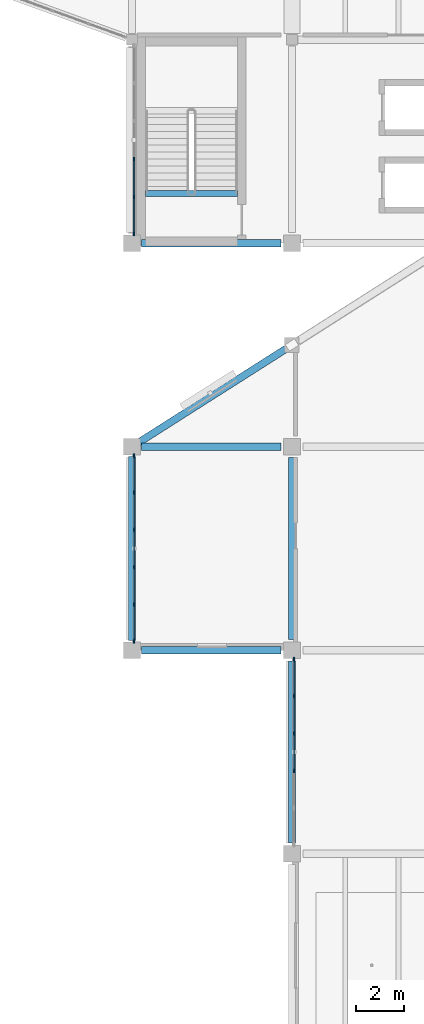
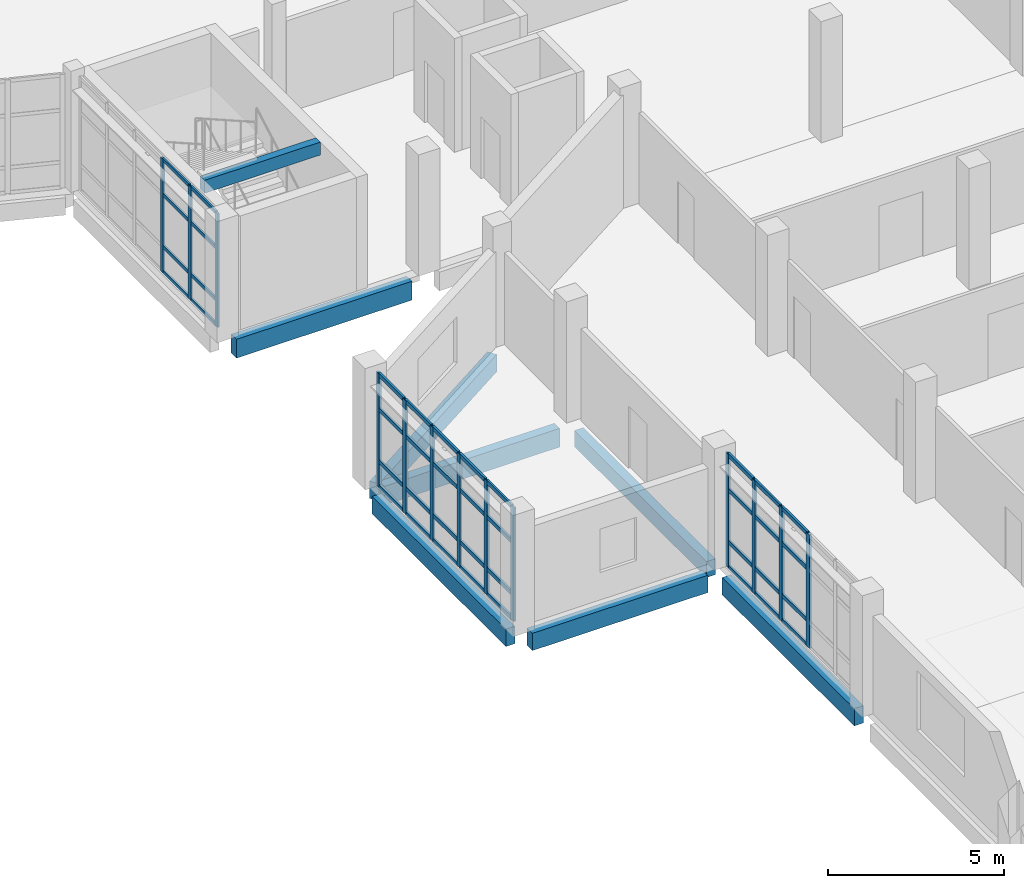
# One storey, part 21 of 74: 53 members, 8 beams, 3 elements without a shape of their own.
"""IFC4 building model written with IfcOpenShell, lengths in metres."""

from ifc_helpers import new_model, si_unit, direction, frame, origin, origin_2d, place, context, subcontext, project, spatial, rectangle, extrude, material, material_profile, profile_set, type_object, element, aggregate, save


model = new_model("IFC4")

# Units and contexts
model_context = context("Model", 3, precision=1e-05, world=origin(), true_north=direction((0.0, 1.0)))
body_context = subcontext(model_context, "Body", "Model", "MODEL_VIEW")
ifc_project = project(units=[si_unit("LENGTHUNIT", "METRE"), si_unit("AREAUNIT", "SQUARE_METRE"), si_unit("VOLUMEUNIT", "CUBIC_METRE"), si_unit("PLANEANGLEUNIT", "RADIAN"), si_unit("MASSUNIT", "GRAM", prefix="KILO")], contexts=[model_context])

# Site, building, storey
site_placement = place(None, origin())
site = spatial("IfcSite", under=ifc_project, at=site_placement, CompositionType="ELEMENT")
building_placement = place(site_placement, origin())
building = spatial("IfcBuilding", under=site, at=building_placement, Name="Qaldarim Faculty of Natural and Applied Sciences", CompositionType="ELEMENT")
storey_placement = place(building_placement, frame((0.0, 0.0, 14.39990234375)))
storey = spatial("IfcBuildingStorey", under=building, at=storey_placement, Name="L03", CompositionType="ELEMENT", Elevation=14.39990234375)

# Beams
ifc_material_1 = material(Name="Concrete C40/50", Category="concrete")
ifc_material_profile_1 = material_profile(ifc_material_1, rectangle(XDim=0.300048828125, YDim=0.550048828125, at=origin_2d()), Name="RC-B300x550")
ifc_profile_set_1 = profile_set([ifc_material_profile_1], Name="Concrete C40/50")
beam_type_1 = type_object("IfcBeamType", Name="FloorBeam-RC300x550", PredefinedType="BEAM", material=ifc_profile_set_1)
beam_1_placement = place(storey_placement, frame((158.39990234375, 42.449951171875, -0.534912109375), z_axis=(0.0, 1.0, 0.0), x_axis=(-1.0, 0.0, 0.0)))
element("IfcBeam", 1, at=beam_1_placement, inside=storey, type_object=beam_type_1, Name="Beam RC-B300x550 L02 X25/Y06-Y07", PredefinedType="BEAM", context=body_context, shape_type="SweptSolid", body=[
    extrude(rectangle(XDim=0.300048828125, YDim=0.550048828125, at=origin_2d()), origin(), (0.0, 0.0, 1.0), 7.5),
])
ifc_material_profile_2 = material_profile(ifc_material_1, rectangle(XDim=0.25, YDim=0.449951171875, at=origin_2d()), Name="RC-LN250x450")
ifc_profile_set_2 = profile_set([ifc_material_profile_2], Name="Concrete C40/50")
beam_type_2 = type_object("IfcBeamType", Name="LandingSupportBeam-RC250x450", PredefinedType="BEAM", material=ifc_profile_set_2)
beam_2_placement = place(storey_placement, frame((152.35009765625, 60.85009765625, 3.715087890625), z_axis=(1.0, 0.0, 0.0), x_axis=(0.0, 1.0, 0.0)))
element("IfcBeam", 2, at=beam_2_placement, inside=storey, type_object=beam_type_2, Name="Stair arrival support beam ST-C1 L03", PredefinedType="BEAM", context=body_context, shape_type="SweptSolid", body=[
    extrude(rectangle(XDim=0.25, YDim=0.449951171875, at=origin_2d()), origin(), (0.0, 0.0, 1.0), 3.7998046875),
])

# Curtain wall, members
ifc_material_2 = material(Name="Anodised aluminium AW-6063", Category="aluminium")
curtain_wall_type_1 = type_object("IfcCurtainWallType", Name="CurtainWallSystem-M1600", PredefinedType="USERDEFINED", material=ifc_material_2)
curtain_wall_1_placement = place(storey_placement, origin())
curtain_wall_1 = element("IfcCurtainWall", 3, at=curtain_wall_1_placement, inside=storey, type_object=curtain_wall_type_1, Name="Curtain wall CW-L03-W-X24Y08", ObjectType="UNITISED FACADE", PredefinedType="USERDEFINED")
ifc_material_profile_3 = material_profile(ifc_material_2, rectangle(XDim=0.06005859375, YDim=0.14990234375, at=origin_2d()), Name="ALU-M60x150")
ifc_profile_set_3 = profile_set([ifc_material_profile_3], Name="Anodised aluminium AW-6063")
member_type_1 = type_object("IfcMemberType", Name="Mullion-ALU60x150", PredefinedType="MULLION", material=ifc_profile_set_3)
member_1_placement = place(storey_placement, frame((151.8798828125, 62.279052734375, 0.0), z_axis=(0.0, 0.0, 1.0), x_axis=(1.0, 0.0, 0.0)))
member_1 = element("IfcMember", 4, at=member_1_placement, type_object=member_type_1, Name="Mullion 4 of CW-L03-W-X24Y08", PredefinedType="MULLION", context=body_context, shape_type="SweptSolid", body=[
    extrude(rectangle(XDim=0.06005859375, YDim=0.14990234375, at=origin_2d()), origin(), (0.0, 0.0, 1.0), 3.940185546875),
])
member_2_placement = place(storey_placement, frame((151.8798828125, 60.7119140625, 0.0), z_axis=(0.0, 0.0, 1.0), x_axis=(1.0, 0.0, 0.0)))
member_2 = element("IfcMember", 5, at=member_2_placement, type_object=member_type_1, Name="Mullion 5 of CW-L03-W-X24Y08", PredefinedType="MULLION", context=body_context, shape_type="SweptSolid", body=[
    extrude(rectangle(XDim=0.06005859375, YDim=0.14990234375, at=origin_2d()), origin(), (0.0, 0.0, 1.0), 3.940185546875),
])
member_3_placement = place(storey_placement, frame((151.8798828125, 59.175048828125, 0.0), z_axis=(0.0, 0.0, 1.0), x_axis=(1.0, 0.0, 0.0)))
member_3 = element("IfcMember", 6, at=member_3_placement, type_object=member_type_1, Name="Mullion 6 of CW-L03-W-X24Y08", PredefinedType="MULLION", context=body_context, shape_type="SweptSolid", body=[
    extrude(rectangle(XDim=0.06005859375, YDim=0.14990234375, at=origin_2d()), origin(), (0.0, 0.0, 1.0), 3.940185546875),
])

curtain_wall_type_2 = type_object("IfcCurtainWallType", Name="CurtainWallSystem-M1700", PredefinedType="USERDEFINED", material=ifc_material_2)
curtain_wall_2_placement = place(storey_placement, origin())
curtain_wall_2 = element("IfcCurtainWall", 7, at=curtain_wall_2_placement, inside=storey, type_object=curtain_wall_type_2, Name="Curtain wall CW-L03-W-X24Y06", ObjectType="UNITISED FACADE", PredefinedType="USERDEFINED")
ifc_material_profile_4 = material_profile(ifc_material_2, rectangle(XDim=0.070068359375, YDim=0.179931640625, at=origin_2d()), Name="ALU-M70x180")
ifc_profile_set_4 = profile_set([ifc_material_profile_4], Name="Anodised aluminium AW-6063")
member_type_2 = type_object("IfcMemberType", Name="Mullion-ALU70x180", PredefinedType="MULLION", material=ifc_profile_set_4)
member_4_placement = place(storey_placement, frame((151.8798828125, 50.02001953125, 0.0), z_axis=(0.0, 0.0, 1.0), x_axis=(1.0, 0.0, 0.0)))
member_4 = element("IfcMember", 8, at=member_4_placement, type_object=member_type_2, Name="Mullion 1 of CW-L03-W-X24Y06", PredefinedType="MULLION", context=body_context, shape_type="SweptSolid", body=[
    extrude(rectangle(XDim=0.070068359375, YDim=0.179931640625, at=origin_2d()), origin(), (0.0, 0.0, 1.0), 3.940185546875),
])
member_5_placement = place(storey_placement, frame((151.8798828125, 48.512939453125, 0.0), z_axis=(0.0, 0.0, 1.0), x_axis=(1.0, 0.0, 0.0)))
member_5 = element("IfcMember", 9, at=member_5_placement, type_object=member_type_2, Name="Mullion 2 of CW-L03-W-X24Y06", PredefinedType="MULLION", context=body_context, shape_type="SweptSolid", body=[
    extrude(rectangle(XDim=0.070068359375, YDim=0.179931640625, at=origin_2d()), origin(), (0.0, 0.0, 1.0), 3.940185546875),
])
member_6_placement = place(storey_placement, frame((151.8798828125, 46.970947265625, 0.0), z_axis=(0.0, 0.0, 1.0), x_axis=(1.0, 0.0, 0.0)))
member_6 = element("IfcMember", 10, at=member_6_placement, type_object=member_type_2, Name="Mullion 3 of CW-L03-W-X24Y06", PredefinedType="MULLION", context=body_context, shape_type="SweptSolid", body=[
    extrude(rectangle(XDim=0.070068359375, YDim=0.179931640625, at=origin_2d()), origin(), (0.0, 0.0, 1.0), 3.940185546875),
])
member_7_placement = place(storey_placement, frame((151.8798828125, 45.428955078125, 0.0), z_axis=(0.0, 0.0, 1.0), x_axis=(1.0, 0.0, 0.0)))
member_7 = element("IfcMember", 11, at=member_7_placement, type_object=member_type_2, Name="Mullion 4 of CW-L03-W-X24Y06", PredefinedType="MULLION", context=body_context, shape_type="SweptSolid", body=[
    extrude(rectangle(XDim=0.070068359375, YDim=0.179931640625, at=origin_2d()), origin(), (0.0, 0.0, 1.0), 3.940185546875),
])
member_8_placement = place(storey_placement, frame((151.8798828125, 43.886962890625, 0.0), z_axis=(0.0, 0.0, 1.0), x_axis=(1.0, 0.0, 0.0)))
member_8 = element("IfcMember", 12, at=member_8_placement, type_object=member_type_2, Name="Mullion 5 of CW-L03-W-X24Y06", PredefinedType="MULLION", context=body_context, shape_type="SweptSolid", body=[
    extrude(rectangle(XDim=0.070068359375, YDim=0.179931640625, at=origin_2d()), origin(), (0.0, 0.0, 1.0), 3.940185546875),
])
member_9_placement = place(storey_placement, frame((151.8798828125, 42.3798828125, 0.0), z_axis=(0.0, 0.0, 1.0), x_axis=(1.0, 0.0, 0.0)))
member_9 = element("IfcMember", 13, at=member_9_placement, type_object=member_type_2, Name="Mullion 6 of CW-L03-W-X24Y06", PredefinedType="MULLION", context=body_context, shape_type="SweptSolid", body=[
    extrude(rectangle(XDim=0.070068359375, YDim=0.179931640625, at=origin_2d()), origin(), (0.0, 0.0, 1.0), 3.940185546875),
])

curtain_wall_3_placement = place(storey_placement, origin())
curtain_wall_3 = element("IfcCurtainWall", 14, at=curtain_wall_3_placement, inside=storey, type_object=curtain_wall_type_2, Name="Curtain wall CW-L03-W-X25Y05", ObjectType="UNITISED FACADE", PredefinedType="USERDEFINED")
member_10_placement = place(storey_placement, frame((158.47998046875, 41.6201171875, 0.0), z_axis=(0.0, 0.0, 1.0), x_axis=(1.0, 0.0, 0.0)))
member_10 = element("IfcMember", 15, at=member_10_placement, type_object=member_type_2, Name="Mullion 1 of CW-L03-W-X25Y05", PredefinedType="MULLION", context=body_context, shape_type="SweptSolid", body=[
    extrude(rectangle(XDim=0.070068359375, YDim=0.179931640625, at=origin_2d()), origin(), (0.0, 0.0, 1.0), 3.940185546875),
])
member_11_placement = place(storey_placement, frame((158.47998046875, 40.113037109375, 0.0), z_axis=(0.0, 0.0, 1.0), x_axis=(1.0, 0.0, 0.0)))
member_11 = element("IfcMember", 16, at=member_11_placement, type_object=member_type_2, Name="Mullion 2 of CW-L03-W-X25Y05", PredefinedType="MULLION", context=body_context, shape_type="SweptSolid", body=[
    extrude(rectangle(XDim=0.070068359375, YDim=0.179931640625, at=origin_2d()), origin(), (0.0, 0.0, 1.0), 3.940185546875),
])
member_12_placement = place(storey_placement, frame((158.47998046875, 38.571044921875, 0.0), z_axis=(0.0, 0.0, 1.0), x_axis=(1.0, 0.0, 0.0)))
member_12 = element("IfcMember", 17, at=member_12_placement, type_object=member_type_2, Name="Mullion 3 of CW-L03-W-X25Y05", PredefinedType="MULLION", context=body_context, shape_type="SweptSolid", body=[
    extrude(rectangle(XDim=0.070068359375, YDim=0.179931640625, at=origin_2d()), origin(), (0.0, 0.0, 1.0), 3.940185546875),
])
member_13_placement = place(storey_placement, frame((158.47998046875, 37.029052734375, 0.0), z_axis=(0.0, 0.0, 1.0), x_axis=(1.0, 0.0, 0.0)))
member_13 = element("IfcMember", 18, at=member_13_placement, type_object=member_type_2, Name="Mullion 4 of CW-L03-W-X25Y05", PredefinedType="MULLION", context=body_context, shape_type="SweptSolid", body=[
    extrude(rectangle(XDim=0.070068359375, YDim=0.179931640625, at=origin_2d()), origin(), (0.0, 0.0, 1.0), 3.940185546875),
])

# Beams
ifc_material_profile_5 = material_profile(ifc_material_1, rectangle(XDim=0.300048828125, YDim=0.64990234375, at=origin_2d()), Name="RC-B300x650")
ifc_profile_set_5 = profile_set([ifc_material_profile_5], Name="Concrete C40/50")
beam_type_3 = type_object("IfcBeamType", Name="PrimaryBeam-RC300x650", PredefinedType="BEAM", material=ifc_profile_set_5)
for number, where, z_axis, x_axis, name in (
    (19, (152.199951171875, 50.39990234375, -0.5849609375), (1.0, 0.0, 0.0), (0.0, 1.0, 0.0), "Beam RC-B300x650 L02 X24-X25/Y07"),
    (20, (152.199951171875, 58.800048828125, -0.5849609375), (1.0, 0.0, 0.0), (0.0, 1.0, 0.0), "Beam RC-B300x650 L02 X24-X25/Y08"),
):
    element("IfcBeam", number, at=place(storey_placement, frame(where, z_axis=z_axis, x_axis=x_axis)), inside=storey, type_object=beam_type_3, Name=name, PredefinedType="BEAM", context=body_context, shape_type="SweptSolid", body=[
        extrude(rectangle(XDim=0.300048828125, YDim=0.64990234375, at=origin_2d()), origin(), (0.0, 0.0, 1.0), 5.75),
    ])
ifc_material_3 = material(Name="Precast concrete C40/50", Category="concrete")
ifc_material_profile_6 = material_profile(ifc_material_3, rectangle(XDim=0.300048828125, YDim=0.60009765625, at=origin_2d()), Name="RC-SP300x600")
ifc_profile_set_6 = profile_set([ifc_material_profile_6], Name="Precast concrete C40/50")
beam_type_4 = type_object("IfcBeamType", Name="SpandrelBeam-RC300x600", PredefinedType="SPANDREL", material=ifc_profile_set_6)
beam_3_placement = place(storey_placement, frame((152.199951171875, 42.0, -0.559814453125), z_axis=(1.0, 0.0, 0.0), x_axis=(0.0, 1.0, 0.0)))
element("IfcBeam", 21, at=beam_3_placement, inside=storey, type_object=beam_type_4, Name="Beam RC-SP300x600 L02 X24-X25/Y06", PredefinedType="SPANDREL", context=body_context, shape_type="SweptSolid", body=[
    extrude(rectangle(XDim=0.300048828125, YDim=0.60009765625, at=origin_2d()), origin(), (0.0, 0.0, 1.0), 5.75),
])
beam_4_placement = place(storey_placement, frame((151.800048828125, 42.39990234375, -0.559814453125), z_axis=(0.0, 1.0, 0.0), x_axis=(-1.0, 0.0, 0.0)))
element("IfcBeam", 22, at=beam_4_placement, inside=storey, type_object=beam_type_4, Name="Beam RC-SP300x600 L02 X24/Y06-Y07", PredefinedType="SPANDREL", context=body_context, shape_type="SweptSolid", body=[
    extrude(rectangle(XDim=0.300048828125, YDim=0.60009765625, at=origin_2d()), origin(), (0.0, 0.0, 1.0), 7.60009765625),
])
beam_5_placement = place(storey_placement, frame((158.39990234375, 34.050048828125, -0.559814453125), z_axis=(0.0, 1.0, 0.0), x_axis=(-1.0, 0.0, 0.0)))
element("IfcBeam", 23, at=beam_5_placement, inside=storey, type_object=beam_type_4, Name="Beam RC-SP300x600 L02 X25/Y05-Y06", PredefinedType="SPANDREL", context=body_context, shape_type="SweptSolid", body=[
    extrude(rectangle(XDim=0.300048828125, YDim=0.60009765625, at=origin_2d()), origin(), (0.0, 0.0, 1.0), 7.5),
])
beam_6_placement = place(storey_placement, frame((152.050048828125, 50.56005859375, -0.559814453125), z_axis=(0.843776886751, 0.536694107835, 0.0), x_axis=(-0.536694107835, 0.843776886751, 0.0)))
element("IfcBeam", 24, at=beam_6_placement, inside=storey, type_object=beam_type_4, Name="Oblique NW chamfer spandrel L02 1", PredefinedType="SPANDREL", context=body_context, shape_type="SweptSolid", body=[
    extrude(rectangle(XDim=0.300048828125, YDim=0.60009765625, at=origin_2d()), origin(), (0.0, 0.0, 1.0), 7.229248046875),
])

# Member
ifc_material_profile_7 = material_profile(ifc_material_2, rectangle(XDim=0.06005859375, YDim=0.1201171875, at=origin_2d()), Name="ALU-T60x120")
ifc_profile_set_7 = profile_set([ifc_material_profile_7], Name="Anodised aluminium AW-6063")
member_type_3 = type_object("IfcMemberType", Name="Transom-ALU60x120", PredefinedType="USERDEFINED", material=ifc_profile_set_7)
member_14_placement = place(storey_placement, frame((151.8798828125, 62.2490234375, 0.030029296875), z_axis=(0.0, -1.0, 0.0), x_axis=(1.0, 0.0, 0.0)))
member_14 = element("IfcMember", 25, at=member_14_placement, type_object=member_type_3, Name="Transom 4-1 of CW-L03-W-X24Y08", ObjectType="TRANSOM", PredefinedType="USERDEFINED", context=body_context, shape_type="SweptSolid", body=[
    extrude(rectangle(XDim=0.06005859375, YDim=0.1201171875, at=origin_2d()), origin(), (0.0, 0.0, 1.0), 1.507080078125),
])

member_15_placement = place(storey_placement, frame((151.8798828125, 62.2490234375, 0.900146484375), z_axis=(0.0, -1.0, 0.0), x_axis=(1.0, 0.0, 0.0)))
member_15 = element("IfcMember", 26, at=member_15_placement, type_object=member_type_3, Name="Transom 4-2 of CW-L03-W-X24Y08", ObjectType="TRANSOM", PredefinedType="USERDEFINED", context=body_context, shape_type="SweptSolid", body=[
    extrude(rectangle(XDim=0.06005859375, YDim=0.1201171875, at=origin_2d()), origin(), (0.0, 0.0, 1.0), 1.507080078125),
])

member_16_placement = place(storey_placement, frame((151.8798828125, 62.2490234375, 2.7001953125), z_axis=(0.0, -1.0, 0.0), x_axis=(1.0, 0.0, 0.0)))
member_16 = element("IfcMember", 27, at=member_16_placement, type_object=member_type_3, Name="Transom 4-3 of CW-L03-W-X24Y08", ObjectType="TRANSOM", PredefinedType="USERDEFINED", context=body_context, shape_type="SweptSolid", body=[
    extrude(rectangle(XDim=0.06005859375, YDim=0.1201171875, at=origin_2d()), origin(), (0.0, 0.0, 1.0), 1.507080078125),
])

member_17_placement = place(storey_placement, frame((151.8798828125, 62.2490234375, 3.91015625), z_axis=(0.0, -1.0, 0.0), x_axis=(1.0, 0.0, 0.0)))
member_17 = element("IfcMember", 28, at=member_17_placement, type_object=member_type_3, Name="Transom 4-4 of CW-L03-W-X24Y08", ObjectType="TRANSOM", PredefinedType="USERDEFINED", context=body_context, shape_type="SweptSolid", body=[
    extrude(rectangle(XDim=0.06005859375, YDim=0.1201171875, at=origin_2d()), origin(), (0.0, 0.0, 1.0), 1.507080078125),
])

member_18_placement = place(storey_placement, frame((151.8798828125, 60.681884765625, 0.030029296875), z_axis=(0.0, -1.0, 0.0), x_axis=(1.0, 0.0, 0.0)))
member_18 = element("IfcMember", 29, at=member_18_placement, type_object=member_type_3, Name="Transom 5-1 of CW-L03-W-X24Y08", ObjectType="TRANSOM", PredefinedType="USERDEFINED", context=body_context, shape_type="SweptSolid", body=[
    extrude(rectangle(XDim=0.06005859375, YDim=0.1201171875, at=origin_2d()), origin(), (0.0, 0.0, 1.0), 1.476806640625),
])

member_19_placement = place(storey_placement, frame((151.8798828125, 60.681884765625, 0.900146484375), z_axis=(0.0, -1.0, 0.0), x_axis=(1.0, 0.0, 0.0)))
member_19 = element("IfcMember", 30, at=member_19_placement, type_object=member_type_3, Name="Transom 5-2 of CW-L03-W-X24Y08", ObjectType="TRANSOM", PredefinedType="USERDEFINED", context=body_context, shape_type="SweptSolid", body=[
    extrude(rectangle(XDim=0.06005859375, YDim=0.1201171875, at=origin_2d()), origin(), (0.0, 0.0, 1.0), 1.476806640625),
])

member_20_placement = place(storey_placement, frame((151.8798828125, 60.681884765625, 2.7001953125), z_axis=(0.0, -1.0, 0.0), x_axis=(1.0, 0.0, 0.0)))
member_20 = element("IfcMember", 31, at=member_20_placement, type_object=member_type_3, Name="Transom 5-3 of CW-L03-W-X24Y08", ObjectType="TRANSOM", PredefinedType="USERDEFINED", context=body_context, shape_type="SweptSolid", body=[
    extrude(rectangle(XDim=0.06005859375, YDim=0.1201171875, at=origin_2d()), origin(), (0.0, 0.0, 1.0), 1.476806640625),
])

member_21_placement = place(storey_placement, frame((151.8798828125, 60.681884765625, 3.91015625), z_axis=(0.0, -1.0, 0.0), x_axis=(1.0, 0.0, 0.0)))
member_21 = element("IfcMember", 32, at=member_21_placement, type_object=member_type_3, Name="Transom 5-4 of CW-L03-W-X24Y08", ObjectType="TRANSOM", PredefinedType="USERDEFINED", context=body_context, shape_type="SweptSolid", body=[
    extrude(rectangle(XDim=0.06005859375, YDim=0.1201171875, at=origin_2d()), origin(), (0.0, 0.0, 1.0), 1.476806640625),
])

aggregate(curtain_wall_1, [member_1, member_2, member_3, member_14, member_15, member_16, member_17, member_18, member_19, member_20, member_21])

ifc_material_profile_8 = material_profile(ifc_material_2, rectangle(XDim=0.070068359375, YDim=0.139892578125, at=origin_2d()), Name="ALU-T70x140")
ifc_profile_set_8 = profile_set([ifc_material_profile_8], Name="Anodised aluminium AW-6063")
member_type_4 = type_object("IfcMemberType", Name="Transom-ALU70x140", PredefinedType="USERDEFINED", material=ifc_profile_set_8)
member_22_placement = place(storey_placement, frame((151.8798828125, 49.985107421875, 0.03515625), z_axis=(0.0, -1.0, 0.0), x_axis=(1.0, 0.0, 0.0)))
member_22 = element("IfcMember", 33, at=member_22_placement, type_object=member_type_4, Name="Transom 1-1 of CW-L03-W-X24Y06", ObjectType="TRANSOM", PredefinedType="USERDEFINED", context=body_context, shape_type="SweptSolid", body=[
    extrude(rectangle(XDim=0.070068359375, YDim=0.139892578125, at=origin_2d()), origin(), (0.0, 0.0, 1.0), 1.43701171875),
])

member_23_placement = place(storey_placement, frame((151.8798828125, 49.985107421875, 0.900146484375), z_axis=(0.0, -1.0, 0.0), x_axis=(1.0, 0.0, 0.0)))
member_23 = element("IfcMember", 34, at=member_23_placement, type_object=member_type_4, Name="Transom 1-2 of CW-L03-W-X24Y06", ObjectType="TRANSOM", PredefinedType="USERDEFINED", context=body_context, shape_type="SweptSolid", body=[
    extrude(rectangle(XDim=0.070068359375, YDim=0.139892578125, at=origin_2d()), origin(), (0.0, 0.0, 1.0), 1.43701171875),
])

member_24_placement = place(storey_placement, frame((151.8798828125, 49.985107421875, 2.7001953125), z_axis=(0.0, -1.0, 0.0), x_axis=(1.0, 0.0, 0.0)))
member_24 = element("IfcMember", 35, at=member_24_placement, type_object=member_type_4, Name="Transom 1-3 of CW-L03-W-X24Y06", ObjectType="TRANSOM", PredefinedType="USERDEFINED", context=body_context, shape_type="SweptSolid", body=[
    extrude(rectangle(XDim=0.070068359375, YDim=0.139892578125, at=origin_2d()), origin(), (0.0, 0.0, 1.0), 1.43701171875),
])

member_25_placement = place(storey_placement, frame((151.8798828125, 49.985107421875, 3.905029296875), z_axis=(0.0, -1.0, 0.0), x_axis=(1.0, 0.0, 0.0)))
member_25 = element("IfcMember", 36, at=member_25_placement, type_object=member_type_4, Name="Transom 1-4 of CW-L03-W-X24Y06", ObjectType="TRANSOM", PredefinedType="USERDEFINED", context=body_context, shape_type="SweptSolid", body=[
    extrude(rectangle(XDim=0.070068359375, YDim=0.139892578125, at=origin_2d()), origin(), (0.0, 0.0, 1.0), 1.43701171875),
])

member_26_placement = place(storey_placement, frame((151.8798828125, 48.47802734375, 0.03515625), z_axis=(0.0, -1.0, 0.0), x_axis=(1.0, 0.0, 0.0)))
member_26 = element("IfcMember", 37, at=member_26_placement, type_object=member_type_4, Name="Transom 2-1 of CW-L03-W-X24Y06", ObjectType="TRANSOM", PredefinedType="USERDEFINED", context=body_context, shape_type="SweptSolid", body=[
    extrude(rectangle(XDim=0.070068359375, YDim=0.139892578125, at=origin_2d()), origin(), (0.0, 0.0, 1.0), 1.471923828125),
])

member_27_placement = place(storey_placement, frame((151.8798828125, 48.47802734375, 0.900146484375), z_axis=(0.0, -1.0, 0.0), x_axis=(1.0, 0.0, 0.0)))
member_27 = element("IfcMember", 38, at=member_27_placement, type_object=member_type_4, Name="Transom 2-2 of CW-L03-W-X24Y06", ObjectType="TRANSOM", PredefinedType="USERDEFINED", context=body_context, shape_type="SweptSolid", body=[
    extrude(rectangle(XDim=0.070068359375, YDim=0.139892578125, at=origin_2d()), origin(), (0.0, 0.0, 1.0), 1.471923828125),
])

member_28_placement = place(storey_placement, frame((151.8798828125, 48.47802734375, 2.7001953125), z_axis=(0.0, -1.0, 0.0), x_axis=(1.0, 0.0, 0.0)))
member_28 = element("IfcMember", 39, at=member_28_placement, type_object=member_type_4, Name="Transom 2-3 of CW-L03-W-X24Y06", ObjectType="TRANSOM", PredefinedType="USERDEFINED", context=body_context, shape_type="SweptSolid", body=[
    extrude(rectangle(XDim=0.070068359375, YDim=0.139892578125, at=origin_2d()), origin(), (0.0, 0.0, 1.0), 1.471923828125),
])

member_29_placement = place(storey_placement, frame((151.8798828125, 48.47802734375, 3.905029296875), z_axis=(0.0, -1.0, 0.0), x_axis=(1.0, 0.0, 0.0)))
member_29 = element("IfcMember", 40, at=member_29_placement, type_object=member_type_4, Name="Transom 2-4 of CW-L03-W-X24Y06", ObjectType="TRANSOM", PredefinedType="USERDEFINED", context=body_context, shape_type="SweptSolid", body=[
    extrude(rectangle(XDim=0.070068359375, YDim=0.139892578125, at=origin_2d()), origin(), (0.0, 0.0, 1.0), 1.471923828125),
])

member_30_placement = place(storey_placement, frame((151.8798828125, 46.93603515625, 0.03515625), z_axis=(0.0, -1.0, 0.0), x_axis=(1.0, 0.0, 0.0)))
member_30 = element("IfcMember", 41, at=member_30_placement, type_object=member_type_4, Name="Transom 3-1 of CW-L03-W-X24Y06", ObjectType="TRANSOM", PredefinedType="USERDEFINED", context=body_context, shape_type="SweptSolid", body=[
    extrude(rectangle(XDim=0.070068359375, YDim=0.139892578125, at=origin_2d()), origin(), (0.0, 0.0, 1.0), 1.471923828125),
])

member_31_placement = place(storey_placement, frame((151.8798828125, 46.93603515625, 0.900146484375), z_axis=(0.0, -1.0, 0.0), x_axis=(1.0, 0.0, 0.0)))
member_31 = element("IfcMember", 42, at=member_31_placement, type_object=member_type_4, Name="Transom 3-2 of CW-L03-W-X24Y06", ObjectType="TRANSOM", PredefinedType="USERDEFINED", context=body_context, shape_type="SweptSolid", body=[
    extrude(rectangle(XDim=0.070068359375, YDim=0.139892578125, at=origin_2d()), origin(), (0.0, 0.0, 1.0), 1.471923828125),
])

member_32_placement = place(storey_placement, frame((151.8798828125, 46.93603515625, 2.7001953125), z_axis=(0.0, -1.0, 0.0), x_axis=(1.0, 0.0, 0.0)))
member_32 = element("IfcMember", 43, at=member_32_placement, type_object=member_type_4, Name="Transom 3-3 of CW-L03-W-X24Y06", ObjectType="TRANSOM", PredefinedType="USERDEFINED", context=body_context, shape_type="SweptSolid", body=[
    extrude(rectangle(XDim=0.070068359375, YDim=0.139892578125, at=origin_2d()), origin(), (0.0, 0.0, 1.0), 1.471923828125),
])

member_33_placement = place(storey_placement, frame((151.8798828125, 46.93603515625, 3.905029296875), z_axis=(0.0, -1.0, 0.0), x_axis=(1.0, 0.0, 0.0)))
member_33 = element("IfcMember", 44, at=member_33_placement, type_object=member_type_4, Name="Transom 3-4 of CW-L03-W-X24Y06", ObjectType="TRANSOM", PredefinedType="USERDEFINED", context=body_context, shape_type="SweptSolid", body=[
    extrude(rectangle(XDim=0.070068359375, YDim=0.139892578125, at=origin_2d()), origin(), (0.0, 0.0, 1.0), 1.471923828125),
])

member_34_placement = place(storey_placement, frame((151.8798828125, 45.39404296875, 0.03515625), z_axis=(0.0, -1.0, 0.0), x_axis=(1.0, 0.0, 0.0)))
member_34 = element("IfcMember", 45, at=member_34_placement, type_object=member_type_4, Name="Transom 4-1 of CW-L03-W-X24Y06", ObjectType="TRANSOM", PredefinedType="USERDEFINED", context=body_context, shape_type="SweptSolid", body=[
    extrude(rectangle(XDim=0.070068359375, YDim=0.139892578125, at=origin_2d()), origin(), (0.0, 0.0, 1.0), 1.471923828125),
])

member_35_placement = place(storey_placement, frame((151.8798828125, 45.39404296875, 0.900146484375), z_axis=(0.0, -1.0, 0.0), x_axis=(1.0, 0.0, 0.0)))
member_35 = element("IfcMember", 46, at=member_35_placement, type_object=member_type_4, Name="Transom 4-2 of CW-L03-W-X24Y06", ObjectType="TRANSOM", PredefinedType="USERDEFINED", context=body_context, shape_type="SweptSolid", body=[
    extrude(rectangle(XDim=0.070068359375, YDim=0.139892578125, at=origin_2d()), origin(), (0.0, 0.0, 1.0), 1.471923828125),
])

member_36_placement = place(storey_placement, frame((151.8798828125, 45.39404296875, 2.7001953125), z_axis=(0.0, -1.0, 0.0), x_axis=(1.0, 0.0, 0.0)))
member_36 = element("IfcMember", 47, at=member_36_placement, type_object=member_type_4, Name="Transom 4-3 of CW-L03-W-X24Y06", ObjectType="TRANSOM", PredefinedType="USERDEFINED", context=body_context, shape_type="SweptSolid", body=[
    extrude(rectangle(XDim=0.070068359375, YDim=0.139892578125, at=origin_2d()), origin(), (0.0, 0.0, 1.0), 1.471923828125),
])

member_37_placement = place(storey_placement, frame((151.8798828125, 45.39404296875, 3.905029296875), z_axis=(0.0, -1.0, 0.0), x_axis=(1.0, 0.0, 0.0)))
member_37 = element("IfcMember", 48, at=member_37_placement, type_object=member_type_4, Name="Transom 4-4 of CW-L03-W-X24Y06", ObjectType="TRANSOM", PredefinedType="USERDEFINED", context=body_context, shape_type="SweptSolid", body=[
    extrude(rectangle(XDim=0.070068359375, YDim=0.139892578125, at=origin_2d()), origin(), (0.0, 0.0, 1.0), 1.471923828125),
])

member_38_placement = place(storey_placement, frame((151.8798828125, 43.85205078125, 0.03515625), z_axis=(0.0, -1.0, 0.0), x_axis=(1.0, 0.0, 0.0)))
member_38 = element("IfcMember", 49, at=member_38_placement, type_object=member_type_4, Name="Transom 5-1 of CW-L03-W-X24Y06", ObjectType="TRANSOM", PredefinedType="USERDEFINED", context=body_context, shape_type="SweptSolid", body=[
    extrude(rectangle(XDim=0.070068359375, YDim=0.139892578125, at=origin_2d()), origin(), (0.0, 0.0, 1.0), 1.43701171875),
])

member_39_placement = place(storey_placement, frame((151.8798828125, 43.85205078125, 0.900146484375), z_axis=(0.0, -1.0, 0.0), x_axis=(1.0, 0.0, 0.0)))
member_39 = element("IfcMember", 50, at=member_39_placement, type_object=member_type_4, Name="Transom 5-2 of CW-L03-W-X24Y06", ObjectType="TRANSOM", PredefinedType="USERDEFINED", context=body_context, shape_type="SweptSolid", body=[
    extrude(rectangle(XDim=0.070068359375, YDim=0.139892578125, at=origin_2d()), origin(), (0.0, 0.0, 1.0), 1.43701171875),
])

member_40_placement = place(storey_placement, frame((151.8798828125, 43.85205078125, 2.7001953125), z_axis=(0.0, -1.0, 0.0), x_axis=(1.0, 0.0, 0.0)))
member_40 = element("IfcMember", 51, at=member_40_placement, type_object=member_type_4, Name="Transom 5-3 of CW-L03-W-X24Y06", ObjectType="TRANSOM", PredefinedType="USERDEFINED", context=body_context, shape_type="SweptSolid", body=[
    extrude(rectangle(XDim=0.070068359375, YDim=0.139892578125, at=origin_2d()), origin(), (0.0, 0.0, 1.0), 1.43701171875),
])

member_41_placement = place(storey_placement, frame((151.8798828125, 43.85205078125, 3.905029296875), z_axis=(0.0, -1.0, 0.0), x_axis=(1.0, 0.0, 0.0)))
member_41 = element("IfcMember", 52, at=member_41_placement, type_object=member_type_4, Name="Transom 5-4 of CW-L03-W-X24Y06", ObjectType="TRANSOM", PredefinedType="USERDEFINED", context=body_context, shape_type="SweptSolid", body=[
    extrude(rectangle(XDim=0.070068359375, YDim=0.139892578125, at=origin_2d()), origin(), (0.0, 0.0, 1.0), 1.43701171875),
])

aggregate(curtain_wall_2, [member_4, member_5, member_6, member_7, member_8, member_9, member_22, member_23, member_24, member_25, member_26, member_27, member_28, member_29, member_30, member_31, member_32, member_33, member_34, member_35, member_36, member_37, member_38, member_39, member_40, member_41])

member_42_placement = place(storey_placement, frame((158.47998046875, 41.5849609375, 0.03515625), z_axis=(0.0, -1.0, 0.0), x_axis=(1.0, 0.0, 0.0)))
member_42 = element("IfcMember", 53, at=member_42_placement, type_object=member_type_4, Name="Transom 1-1 of CW-L03-W-X25Y05", ObjectType="TRANSOM", PredefinedType="USERDEFINED", context=body_context, shape_type="SweptSolid", body=[
    extrude(rectangle(XDim=0.070068359375, YDim=0.139892578125, at=origin_2d()), origin(), (0.0, 0.0, 1.0), 1.43701171875),
])

member_43_placement = place(storey_placement, frame((158.47998046875, 41.5849609375, 0.900146484375), z_axis=(0.0, -1.0, 0.0), x_axis=(1.0, 0.0, 0.0)))
member_43 = element("IfcMember", 54, at=member_43_placement, type_object=member_type_4, Name="Transom 1-2 of CW-L03-W-X25Y05", ObjectType="TRANSOM", PredefinedType="USERDEFINED", context=body_context, shape_type="SweptSolid", body=[
    extrude(rectangle(XDim=0.070068359375, YDim=0.139892578125, at=origin_2d()), origin(), (0.0, 0.0, 1.0), 1.43701171875),
])

member_44_placement = place(storey_placement, frame((158.47998046875, 41.5849609375, 2.7001953125), z_axis=(0.0, -1.0, 0.0), x_axis=(1.0, 0.0, 0.0)))
member_44 = element("IfcMember", 55, at=member_44_placement, type_object=member_type_4, Name="Transom 1-3 of CW-L03-W-X25Y05", ObjectType="TRANSOM", PredefinedType="USERDEFINED", context=body_context, shape_type="SweptSolid", body=[
    extrude(rectangle(XDim=0.070068359375, YDim=0.139892578125, at=origin_2d()), origin(), (0.0, 0.0, 1.0), 1.43701171875),
])

member_45_placement = place(storey_placement, frame((158.47998046875, 41.5849609375, 3.905029296875), z_axis=(0.0, -1.0, 0.0), x_axis=(1.0, 0.0, 0.0)))
member_45 = element("IfcMember", 56, at=member_45_placement, type_object=member_type_4, Name="Transom 1-4 of CW-L03-W-X25Y05", ObjectType="TRANSOM", PredefinedType="USERDEFINED", context=body_context, shape_type="SweptSolid", body=[
    extrude(rectangle(XDim=0.070068359375, YDim=0.139892578125, at=origin_2d()), origin(), (0.0, 0.0, 1.0), 1.43701171875),
])

member_46_placement = place(storey_placement, frame((158.47998046875, 40.077880859375, 0.03515625), z_axis=(0.0, -1.0, 0.0), x_axis=(1.0, 0.0, 0.0)))
member_46 = element("IfcMember", 57, at=member_46_placement, type_object=member_type_4, Name="Transom 2-1 of CW-L03-W-X25Y05", ObjectType="TRANSOM", PredefinedType="USERDEFINED", context=body_context, shape_type="SweptSolid", body=[
    extrude(rectangle(XDim=0.070068359375, YDim=0.139892578125, at=origin_2d()), origin(), (0.0, 0.0, 1.0), 1.471923828125),
])

member_47_placement = place(storey_placement, frame((158.47998046875, 40.077880859375, 0.900146484375), z_axis=(0.0, -1.0, 0.0), x_axis=(1.0, 0.0, 0.0)))
member_47 = element("IfcMember", 58, at=member_47_placement, type_object=member_type_4, Name="Transom 2-2 of CW-L03-W-X25Y05", ObjectType="TRANSOM", PredefinedType="USERDEFINED", context=body_context, shape_type="SweptSolid", body=[
    extrude(rectangle(XDim=0.070068359375, YDim=0.139892578125, at=origin_2d()), origin(), (0.0, 0.0, 1.0), 1.471923828125),
])

member_48_placement = place(storey_placement, frame((158.47998046875, 40.077880859375, 2.7001953125), z_axis=(0.0, -1.0, 0.0), x_axis=(1.0, 0.0, 0.0)))
member_48 = element("IfcMember", 59, at=member_48_placement, type_object=member_type_4, Name="Transom 2-3 of CW-L03-W-X25Y05", ObjectType="TRANSOM", PredefinedType="USERDEFINED", context=body_context, shape_type="SweptSolid", body=[
    extrude(rectangle(XDim=0.070068359375, YDim=0.139892578125, at=origin_2d()), origin(), (0.0, 0.0, 1.0), 1.471923828125),
])

member_49_placement = place(storey_placement, frame((158.47998046875, 40.077880859375, 3.905029296875), z_axis=(0.0, -1.0, 0.0), x_axis=(1.0, 0.0, 0.0)))
member_49 = element("IfcMember", 60, at=member_49_placement, type_object=member_type_4, Name="Transom 2-4 of CW-L03-W-X25Y05", ObjectType="TRANSOM", PredefinedType="USERDEFINED", context=body_context, shape_type="SweptSolid", body=[
    extrude(rectangle(XDim=0.070068359375, YDim=0.139892578125, at=origin_2d()), origin(), (0.0, 0.0, 1.0), 1.471923828125),
])

member_50_placement = place(storey_placement, frame((158.47998046875, 38.535888671875, 0.03515625), z_axis=(0.0, -1.0, 0.0), x_axis=(1.0, 0.0, 0.0)))
member_50 = element("IfcMember", 61, at=member_50_placement, type_object=member_type_4, Name="Transom 3-1 of CW-L03-W-X25Y05", ObjectType="TRANSOM", PredefinedType="USERDEFINED", context=body_context, shape_type="SweptSolid", body=[
    extrude(rectangle(XDim=0.070068359375, YDim=0.139892578125, at=origin_2d()), origin(), (0.0, 0.0, 1.0), 1.471923828125),
])

member_51_placement = place(storey_placement, frame((158.47998046875, 38.535888671875, 0.900146484375), z_axis=(0.0, -1.0, 0.0), x_axis=(1.0, 0.0, 0.0)))
member_51 = element("IfcMember", 62, at=member_51_placement, type_object=member_type_4, Name="Transom 3-2 of CW-L03-W-X25Y05", ObjectType="TRANSOM", PredefinedType="USERDEFINED", context=body_context, shape_type="SweptSolid", body=[
    extrude(rectangle(XDim=0.070068359375, YDim=0.139892578125, at=origin_2d()), origin(), (0.0, 0.0, 1.0), 1.471923828125),
])

member_52_placement = place(storey_placement, frame((158.47998046875, 38.535888671875, 2.7001953125), z_axis=(0.0, -1.0, 0.0), x_axis=(1.0, 0.0, 0.0)))
member_52 = element("IfcMember", 63, at=member_52_placement, type_object=member_type_4, Name="Transom 3-3 of CW-L03-W-X25Y05", ObjectType="TRANSOM", PredefinedType="USERDEFINED", context=body_context, shape_type="SweptSolid", body=[
    extrude(rectangle(XDim=0.070068359375, YDim=0.139892578125, at=origin_2d()), origin(), (0.0, 0.0, 1.0), 1.471923828125),
])

member_53_placement = place(storey_placement, frame((158.47998046875, 38.535888671875, 3.905029296875), z_axis=(0.0, -1.0, 0.0), x_axis=(1.0, 0.0, 0.0)))
member_53 = element("IfcMember", 64, at=member_53_placement, type_object=member_type_4, Name="Transom 3-4 of CW-L03-W-X25Y05", ObjectType="TRANSOM", PredefinedType="USERDEFINED", context=body_context, shape_type="SweptSolid", body=[
    extrude(rectangle(XDim=0.070068359375, YDim=0.139892578125, at=origin_2d()), origin(), (0.0, 0.0, 1.0), 1.471923828125),
])

aggregate(curtain_wall_3, [member_10, member_11, member_12, member_13, member_42, member_43, member_44, member_45, member_46, member_47, member_48, member_49, member_50, member_51, member_52, member_53])

save(model, "model.ifc")
